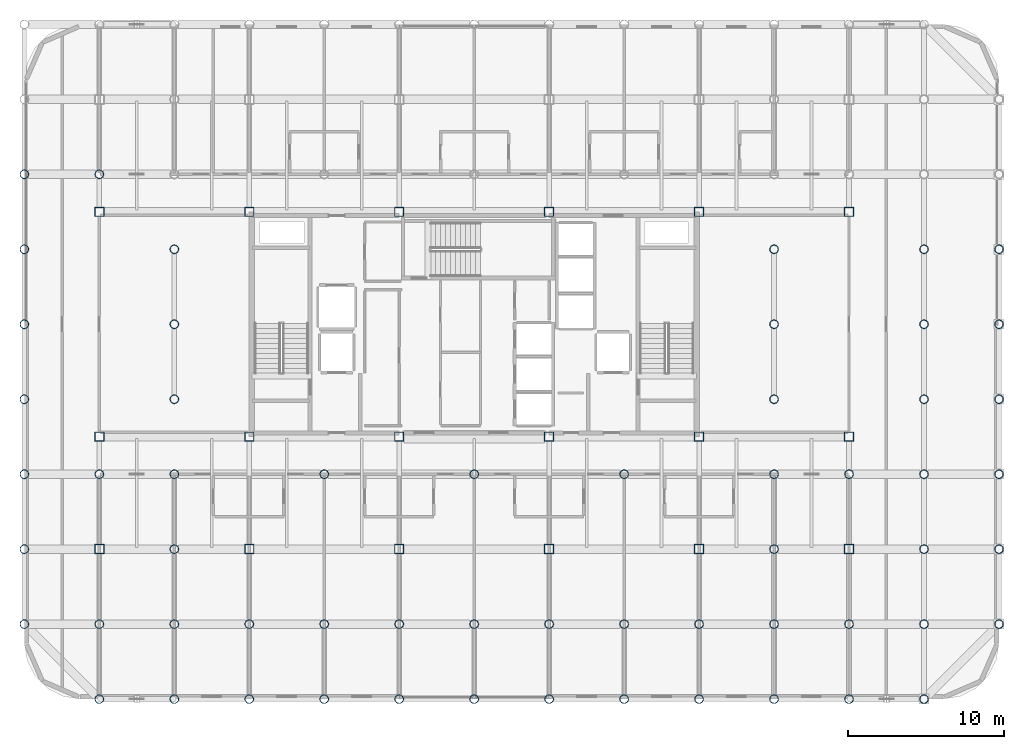
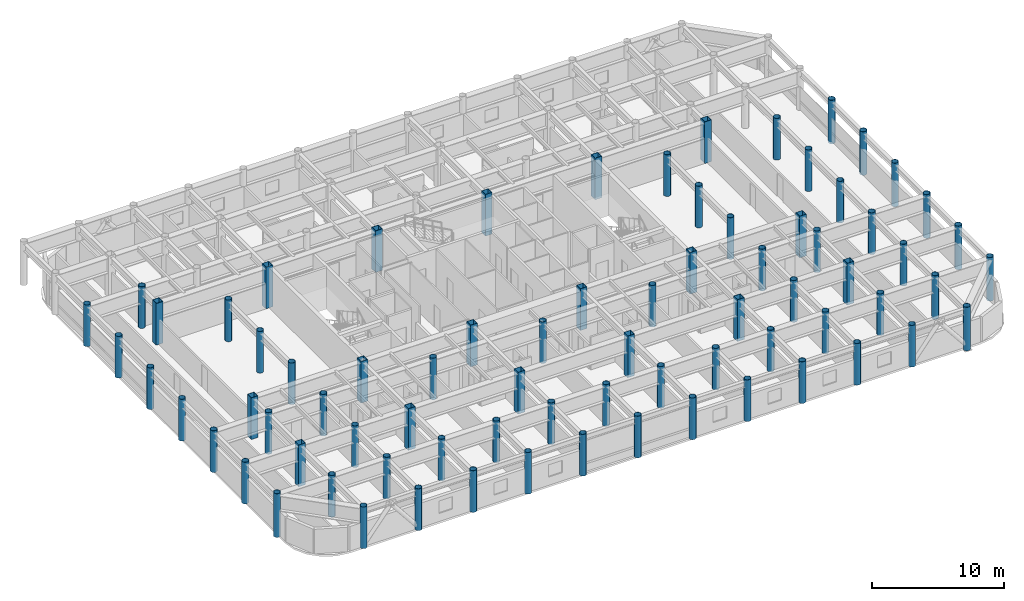
# One storey, part 1 of 22: 76 columns.
"""IFC4 building model written with IfcOpenShell, lengths in metres."""

from ifc_helpers import new_model, si_unit, direction, frame, origin, origin_2d, place, context, subcontext, project, spatial, hollow_rectangle, hollow_circle, extrude, material, material_profile, profile_set, type_object, element, save


model = new_model("IFC4")

# Units and contexts
model_context = context("Model", 3, precision=1e-05, world=origin(), true_north=direction((0.0, 1.0)))
body_context = subcontext(model_context, "Body", "Model", "MODEL_VIEW")
ifc_project = project(units=[si_unit("LENGTHUNIT", "METRE"), si_unit("AREAUNIT", "SQUARE_METRE"), si_unit("VOLUMEUNIT", "CUBIC_METRE"), si_unit("PLANEANGLEUNIT", "RADIAN"), si_unit("MASSUNIT", "GRAM", prefix="KILO")], contexts=[model_context])

# Site, building, storey
site_placement = place(None, origin())
site = spatial("IfcSite", under=ifc_project, at=site_placement, CompositionType="ELEMENT")
building_placement = place(site_placement, origin())
building = spatial("IfcBuilding", under=site, at=building_placement, Name="Kallvorn Hotel Tower", CompositionType="ELEMENT")
storey_placement = place(building_placement, frame((0.0, 0.0, 191.5)))
storey = spatial("IfcBuildingStorey", under=building, at=storey_placement, Name="L47", CompositionType="ELEMENT", Elevation=191.5)

# Columns
ifc_material_1 = material(Name="Structural steel S355J2H", Category="steel")
ifc_material_profile_1 = material_profile(ifc_material_1, hollow_circle(Radius=0.279541015625, WallThickness=0.02490234375, at=origin_2d()), Name="CHS 559x25")
ifc_profile_set_1 = profile_set([ifc_material_profile_1], Name="Structural steel S355J2H")
column_type_1 = type_object("IfcColumnType", Name="COL_CHS_559", PredefinedType="COLUMN", material=ifc_profile_set_1)
column_placement = place(storey_placement, frame((-28.800048828125, -19.199951171875, -0.179931640625), z_axis=(0.0, 0.0, 1.0), x_axis=(1.0, 0.0, 0.0)))
element("IfcColumn", 1, at=column_placement, inside=storey, type_object=column_type_1, Name="L47 Exoskeleton Column EC01", PredefinedType="COLUMN", context=body_context, shape_type="SweptSolid", body=[
    extrude(hollow_circle(Radius=0.279541015625, WallThickness=0.02490234375, at=origin_2d()), origin(), (0.0, 0.0, 1.0), 4.030029296875),
])
for number, where, z_axis, x_axis, name in (
    (2, (-28.800048828125, -14.39990234375, 0.0), (0.0, 0.0, 1.0), (1.0, 0.0, 0.0), "L47 Exoskeleton Column EC02"),
    (3, (-28.800048828125, -9.60009765625, 0.0), (0.0, 0.0, 1.0), (1.0, 0.0, 0.0), "L47 Exoskeleton Column EC03"),
    (4, (-28.800048828125, -4.800048828125, 0.0), (0.0, 0.0, 1.0), (1.0, 0.0, 0.0), "L47 Exoskeleton Column EC04"),
    (5, (-28.800048828125, 0.0, 0.0), (0.0, 0.0, 1.0), (1.0, 0.0, 0.0), "L47 Exoskeleton Column EC05"),
    (6, (-28.800048828125, 4.800048828125, 0.0), (0.0, 0.0, 1.0), (1.0, 0.0, 0.0), "L47 Exoskeleton Column EC06"),
    (7, (-28.800048828125, 9.60009765625, 0.0), (0.0, 0.0, 1.0), (1.0, 0.0, 0.0), "L47 Exoskeleton Column EC07"),
    (8, (-24.0, -24.0, 0.0), (0.0, 0.0, 1.0), (1.0, 0.0, 0.0), "L47 Exoskeleton Column EC10"),
    (9, (-24.0, -19.199951171875, 0.0), (0.0, 0.0, 1.0), (1.0, 0.0, 0.0), "L47 Exoskeleton Column EC11"),
    (10, (-24.0, -9.60009765625, 0.0), (0.0, 0.0, 1.0), (1.0, 0.0, 0.0), "L47 Exoskeleton Column EC12"),
    (11, (-24.0, 9.60009765625, 0.0), (0.0, 0.0, 1.0), (1.0, 0.0, 0.0), "L47 Exoskeleton Column EC13"),
    (12, (-19.199951171875, -24.0, 0.0), (0.0, 0.0, 1.0), (1.0, 0.0, 0.0), "L47 Exoskeleton Column EC15"),
    (13, (-19.199951171875, -19.199951171875, 0.0), (0.0, 0.0, 1.0), (1.0, 0.0, 0.0), "L47 Exoskeleton Column EC16"),
    (14, (-19.199951171875, -14.39990234375, 0.0), (0.0, 0.0, 1.0), (1.0, 0.0, 0.0), "L47 Exoskeleton Column EC17"),
    (15, (-19.199951171875, -9.60009765625, 0.0), (0.0, 0.0, 1.0), (1.0, 0.0, 0.0), "L47 Exoskeleton Column EC18"),
    (16, (-19.199951171875, -4.800048828125, 0.0), (0.0, 0.0, 1.0), (1.0, 0.0, 0.0), "L47 Exoskeleton Column EC19"),
    (17, (-19.199951171875, 0.0, 0.0), (0.0, 0.0, 1.0), (1.0, 0.0, 0.0), "L47 Exoskeleton Column EC20"),
    (18, (-19.199951171875, 4.800048828125, 0.0), (0.0, 0.0, 1.0), (1.0, 0.0, 0.0), "L47 Exoskeleton Column EC21"),
    (19, (-14.39990234375, -24.0, 0.0), (0.0, 0.0, 1.0), (1.0, 0.0, 0.0), "L47 Exoskeleton Column EC25"),
    (20, (-14.39990234375, -19.199951171875, 0.0), (0.0, 0.0, 1.0), (1.0, 0.0, 0.0), "L47 Exoskeleton Column EC26"),
    (21, (-9.60009765625, -24.0, 0.0), (0.0, 0.0, 1.0), (1.0, 0.0, 0.0), "L47 Exoskeleton Column EC28"),
    (22, (-9.60009765625, -19.199951171875, 0.0), (0.0, 0.0, 1.0), (1.0, 0.0, 0.0), "L47 Exoskeleton Column EC29"),
    (23, (-9.60009765625, -9.60009765625, 0.0), (0.0, 0.0, 1.0), (1.0, 0.0, 0.0), "L47 Exoskeleton Column EC30"),
    (24, (-4.800048828125, -24.0, 0.0), (0.0, 0.0, 1.0), (1.0, 0.0, 0.0), "L47 Exoskeleton Column EC33"),
    (25, (-4.800048828125, -19.199951171875, 0.0), (0.0, 0.0, 1.0), (1.0, 0.0, 0.0), "L47 Exoskeleton Column EC34"),
    (26, (0.0, -24.0, 0.0), (0.0, 0.0, 1.0), (1.0, 0.0, 0.0), "L47 Exoskeleton Column EC36"),
    (27, (0.0, -19.199951171875, 0.0), (0.0, 0.0, 1.0), (1.0, 0.0, 0.0), "L47 Exoskeleton Column EC37"),
    (28, (0.0, -9.60009765625, 0.0), (0.0, 0.0, 1.0), (1.0, 0.0, 0.0), "L47 Exoskeleton Column EC38"),
    (29, (4.800048828125, -24.0, 0.0), (0.0, 0.0, 1.0), (1.0, 0.0, 0.0), "L47 Exoskeleton Column EC41"),
    (30, (4.800048828125, -19.199951171875, 0.0), (0.0, 0.0, 1.0), (1.0, 0.0, 0.0), "L47 Exoskeleton Column EC42"),
    (31, (9.60009765625, -24.0, 0.0), (0.0, 0.0, 1.0), (1.0, 0.0, 0.0), "L47 Exoskeleton Column EC44"),
    (32, (9.60009765625, -19.199951171875, 0.0), (0.0, 0.0, 1.0), (1.0, 0.0, 0.0), "L47 Exoskeleton Column EC45"),
    (33, (9.60009765625, -9.60009765625, 0.0), (0.0, 0.0, 1.0), (1.0, 0.0, 0.0), "L47 Exoskeleton Column EC46"),
    (34, (14.39990234375, -24.0, 0.0), (0.0, 0.0, 1.0), (1.0, 0.0, 0.0), "L47 Exoskeleton Column EC49"),
    (35, (14.39990234375, -19.199951171875, 0.0), (0.0, 0.0, 1.0), (1.0, 0.0, 0.0), "L47 Exoskeleton Column EC50"),
    (36, (19.199951171875, -24.0, 0.0), (0.0, 0.0, 1.0), (1.0, 0.0, 0.0), "L47 Exoskeleton Column EC52"),
    (37, (19.199951171875, -19.199951171875, 0.0), (0.0, 0.0, 1.0), (1.0, 0.0, 0.0), "L47 Exoskeleton Column EC53"),
    (38, (19.199951171875, -14.39990234375, 0.0), (0.0, 0.0, 1.0), (1.0, 0.0, 0.0), "L47 Exoskeleton Column EC54"),
    (39, (19.199951171875, -9.60009765625, 0.0), (0.0, 0.0, 1.0), (1.0, 0.0, 0.0), "L47 Exoskeleton Column EC55"),
    (40, (19.199951171875, -4.800048828125, 0.0), (0.0, 0.0, 1.0), (1.0, 0.0, 0.0), "L47 Exoskeleton Column EC56"),
    (41, (19.199951171875, 0.0, 0.0), (0.0, 0.0, 1.0), (1.0, 0.0, 0.0), "L47 Exoskeleton Column EC57"),
    (42, (19.199951171875, 4.800048828125, 0.0), (0.0, 0.0, 1.0), (1.0, 0.0, 0.0), "L47 Exoskeleton Column EC58"),
    (43, (24.0, -24.0, 0.0), (0.0, 0.0, 1.0), (1.0, 0.0, 0.0), "L47 Exoskeleton Column EC62"),
    (44, (24.0, -19.199951171875, 0.0), (0.0, 0.0, 1.0), (1.0, 0.0, 0.0), "L47 Exoskeleton Column EC63"),
    (45, (24.0, -9.60009765625, 0.0), (0.0, 0.0, 1.0), (1.0, 0.0, 0.0), "L47 Exoskeleton Column EC64"),
):
    element("IfcColumn", number, at=place(storey_placement, frame(where, z_axis=z_axis, x_axis=x_axis)), inside=storey, type_object=column_type_1, Name=name, PredefinedType="COLUMN", context=body_context, shape_type="SweptSolid", body=[
        extrude(hollow_circle(Radius=0.279541015625, WallThickness=0.02490234375, at=origin_2d()), origin(), (0.0, 0.0, 1.0), 3.85009765625),
    ])
for number, where, z_axis, x_axis, name in (
    (46, (28.800048828125, -24.0, -0.179931640625), (0.0, 0.0, 1.0), (1.0, 0.0, 0.0), "L47 Exoskeleton Column EC67"),
    (47, (28.800048828125, -19.199951171875, -0.179931640625), (0.0, 0.0, 1.0), (1.0, 0.0, 0.0), "L47 Exoskeleton Column EC68"),
):
    element("IfcColumn", number, at=place(storey_placement, frame(where, z_axis=z_axis, x_axis=x_axis)), inside=storey, type_object=column_type_1, Name=name, PredefinedType="COLUMN", context=body_context, shape_type="SweptSolid", body=[
        extrude(hollow_circle(Radius=0.279541015625, WallThickness=0.02490234375, at=origin_2d()), origin(), (0.0, 0.0, 1.0), 4.030029296875),
    ])
for number, where, z_axis, x_axis, name in (
    (48, (28.800048828125, -14.39990234375, 0.0), (0.0, 0.0, 1.0), (1.0, 0.0, 0.0), "L47 Exoskeleton Column EC69"),
    (49, (28.800048828125, -9.60009765625, 0.0), (0.0, 0.0, 1.0), (1.0, 0.0, 0.0), "L47 Exoskeleton Column EC70"),
    (50, (28.800048828125, -4.800048828125, 0.0), (0.0, 0.0, 1.0), (1.0, 0.0, 0.0), "L47 Exoskeleton Column EC71"),
    (51, (28.800048828125, 0.0, 0.0), (0.0, 0.0, 1.0), (1.0, 0.0, 0.0), "L47 Exoskeleton Column EC72"),
    (52, (28.800048828125, 4.800048828125, 0.0), (0.0, 0.0, 1.0), (1.0, 0.0, 0.0), "L47 Exoskeleton Column EC73"),
):
    element("IfcColumn", number, at=place(storey_placement, frame(where, z_axis=z_axis, x_axis=x_axis)), inside=storey, type_object=column_type_1, Name=name, PredefinedType="COLUMN", context=body_context, shape_type="SweptSolid", body=[
        extrude(hollow_circle(Radius=0.279541015625, WallThickness=0.02490234375, at=origin_2d()), origin(), (0.0, 0.0, 1.0), 3.85009765625),
    ])
for number, where, z_axis, x_axis, name in (
    (53, (33.60009765625, -19.199951171875, -0.179931640625), (0.0, 0.0, 1.0), (1.0, 0.0, 0.0), "L47 Exoskeleton Column EC77"),
    (54, (33.60009765625, -14.39990234375, -0.179931640625), (0.0, 0.0, 1.0), (1.0, 0.0, 0.0), "L47 Exoskeleton Column EC78"),
    (55, (33.60009765625, -9.60009765625, -0.179931640625), (0.0, 0.0, 1.0), (1.0, 0.0, 0.0), "L47 Exoskeleton Column EC79"),
    (56, (33.60009765625, -4.800048828125, -0.179931640625), (0.0, 0.0, 1.0), (1.0, 0.0, 0.0), "L47 Exoskeleton Column EC80"),
    (57, (33.60009765625, 0.0, -0.179931640625), (0.0, 0.0, 1.0), (1.0, 0.0, 0.0), "L47 Exoskeleton Column EC81"),
    (58, (33.60009765625, 4.800048828125, -0.179931640625), (0.0, 0.0, 1.0), (1.0, 0.0, 0.0), "L47 Exoskeleton Column EC82"),
):
    element("IfcColumn", number, at=place(storey_placement, frame(where, z_axis=z_axis, x_axis=x_axis)), inside=storey, type_object=column_type_1, Name=name, PredefinedType="COLUMN", context=body_context, shape_type="SweptSolid", body=[
        extrude(hollow_circle(Radius=0.279541015625, WallThickness=0.02490234375, at=origin_2d()), origin(), (0.0, 0.0, 1.0), 4.030029296875),
    ])
ifc_material_2 = material(Name="Structural steel S355J2H", Category="steel")
ifc_material_profile_2 = material_profile(ifc_material_2, hollow_rectangle(XDim=0.60009765625, YDim=0.60009765625, WallThickness=0.028076171875, at=origin_2d()), Name="RHS 600x600x28")
ifc_profile_set_2 = profile_set([ifc_material_profile_2], Name="Structural steel S355J2H")
column_type_2 = type_object("IfcColumnType", Name="COL_RHS_600", PredefinedType="COLUMN", material=ifc_profile_set_2)
for number, where, z_axis, x_axis, name in (
    (59, (-24.0, -14.39990234375, 0.0), (0.0, 0.0, 1.0), (1.0, 0.0, 0.0), "L47 Inner Column IC01"),
    (60, (-24.0, -7.199951171875, 0.0), (0.0, 0.0, 1.0), (1.0, 0.0, 0.0), "L47 Inner Column IC02"),
    (61, (-24.0, 7.199951171875, 0.0), (0.0, 0.0, 1.0), (1.0, 0.0, 0.0), "L47 Inner Column IC03"),
    (62, (-14.39990234375, -14.39990234375, 0.0), (0.0, 0.0, 1.0), (1.0, 0.0, 0.0), "L47 Inner Column IC05"),
    (63, (-14.39990234375, -7.199951171875, 0.0), (0.0, 0.0, 1.0), (1.0, 0.0, 0.0), "L47 Inner Column IC06"),
    (64, (-14.39990234375, 7.199951171875, 0.0), (0.0, 0.0, 1.0), (1.0, 0.0, 0.0), "L47 Inner Column IC07"),
    (65, (-4.800048828125, -14.39990234375, 0.0), (0.0, 0.0, 1.0), (1.0, 0.0, 0.0), "L47 Inner Column IC09"),
    (66, (-4.800048828125, -7.199951171875, 0.0), (0.0, 0.0, 1.0), (1.0, 0.0, 0.0), "L47 Inner Column IC10"),
    (67, (-4.800048828125, 7.199951171875, 0.0), (0.0, 0.0, 1.0), (1.0, 0.0, 0.0), "L47 Inner Column IC11"),
    (68, (4.800048828125, -14.39990234375, 0.0), (0.0, 0.0, 1.0), (1.0, 0.0, 0.0), "L47 Inner Column IC13"),
    (69, (4.800048828125, -7.199951171875, 0.0), (0.0, 0.0, 1.0), (1.0, 0.0, 0.0), "L47 Inner Column IC14"),
    (70, (4.800048828125, 7.199951171875, 0.0), (0.0, 0.0, 1.0), (1.0, 0.0, 0.0), "L47 Inner Column IC15"),
    (71, (14.39990234375, -14.39990234375, 0.0), (0.0, 0.0, 1.0), (1.0, 0.0, 0.0), "L47 Inner Column IC17"),
    (72, (14.39990234375, -7.199951171875, 0.0), (0.0, 0.0, 1.0), (1.0, 0.0, 0.0), "L47 Inner Column IC18"),
    (73, (14.39990234375, 7.199951171875, 0.0), (0.0, 0.0, 1.0), (1.0, 0.0, 0.0), "L47 Inner Column IC19"),
    (74, (24.0, -14.39990234375, 0.0), (0.0, 0.0, 1.0), (1.0, 0.0, 0.0), "L47 Inner Column IC21"),
    (75, (24.0, -7.199951171875, 0.0), (0.0, 0.0, 1.0), (1.0, 0.0, 0.0), "L47 Inner Column IC22"),
    (76, (24.0, 7.199951171875, 0.0), (0.0, 0.0, 1.0), (1.0, 0.0, 0.0), "L47 Inner Column IC23"),
):
    element("IfcColumn", number, at=place(storey_placement, frame(where, z_axis=z_axis, x_axis=x_axis)), inside=storey, type_object=column_type_2, Name=name, PredefinedType="COLUMN", context=body_context, shape_type="SweptSolid", body=[
        extrude(hollow_rectangle(XDim=0.60009765625, YDim=0.60009765625, WallThickness=0.028076171875, at=origin_2d()), origin(), (0.0, 0.0, 1.0), 3.85009765625),
    ])

save(model, "model.ifc")
